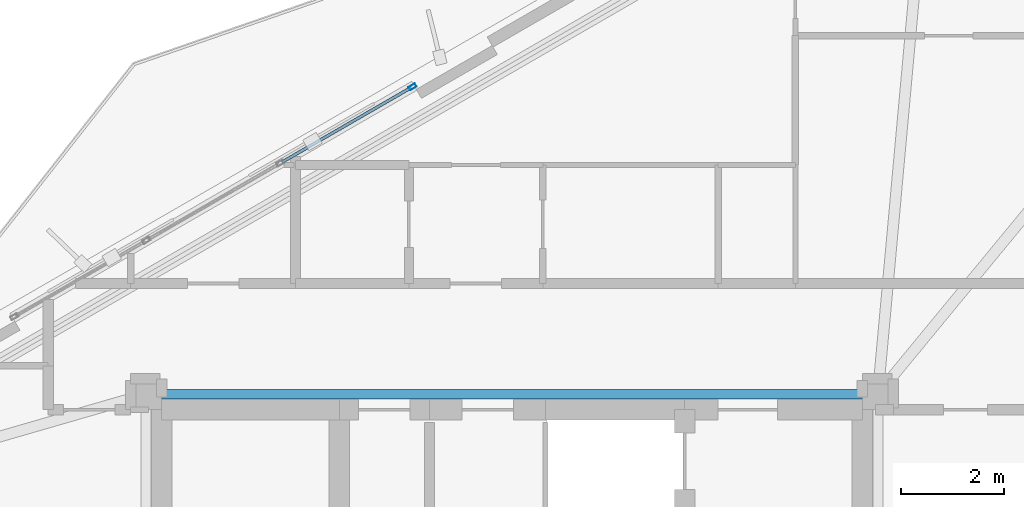
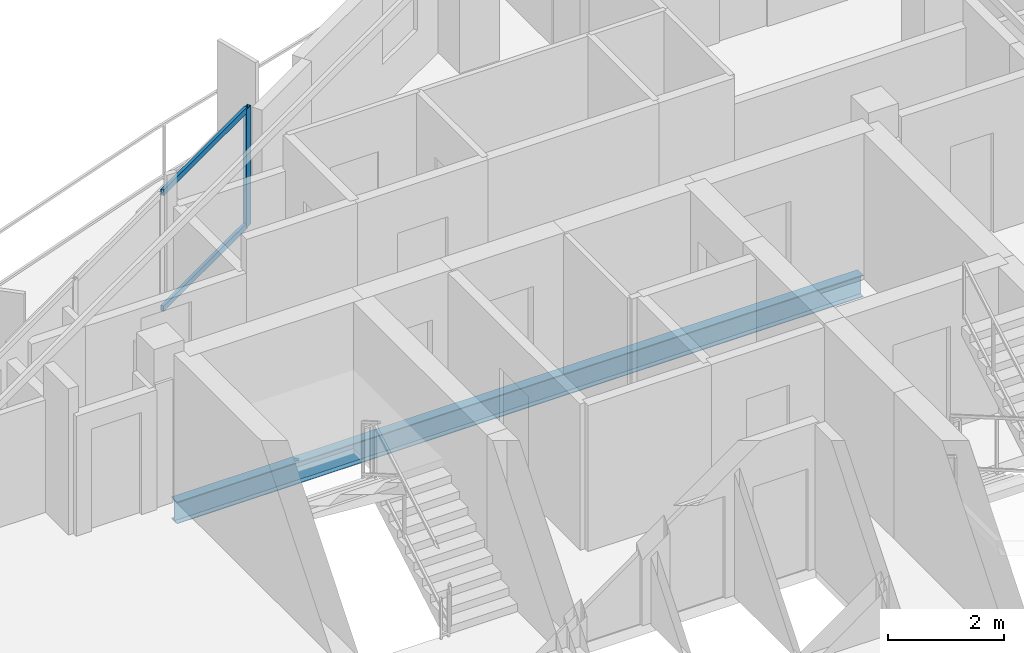
# One storey, part 14 of 22: 3 members, 1 beam, 1 element without a shape of its own.
"""IFC4 building model written with IfcOpenShell, lengths in metres."""

import ifcopenshell
import ifcopenshell.guid

model = None  # the IFC model being written
_history = None  # IfcOwnerHistory: only IFC2X3 demands one
_inside = {}  # id of a spatial element -> (the spatial element, [elements in it])
_under = {}  # id of a project, library or spatial element -> (it, [spatial elements below it])
_declared = {}  # id of a project -> (the project, [libraries it declares])
_typed = {}  # id of a type object -> (the type object, [elements of that type])
_made_of = {}  # id of a material, layer set ... -> (it, [elements and type objects made of it])


def new_model(schema):
    """Start an empty IFC model of exactly this schema.

    Asked for "IFC4X3", IfcOpenShell would pick the latest addendum, in which some entities
    have other attributes; the version numbers below select the first issue.
    IFC2X3 requires an IfcOwnerHistory on every rooted entity: one is made here for all.
    """
    global model, _history
    if schema == "IFC4X3":
        model = ifcopenshell.file(schema_version=(4, 3, 0, 0))
    else:
        model = ifcopenshell.file(schema=schema)
    _inside.clear()
    _under.clear()
    _declared.clear()
    _typed.clear()
    _made_of.clear()
    _history = None
    if model.schema == "IFC2X3":
        org = make("IfcOrganization", Name="unknown")
        user = make(
            "IfcPersonAndOrganization",
            ThePerson=make("IfcPerson", FamilyName="unknown"),
            TheOrganization=org,
        )
        app = make(
            "IfcApplication",
            ApplicationDeveloper=org,
            Version="unknown",
            ApplicationFullName="unknown",
            ApplicationIdentifier="unknown",
        )
        _history = make(
            "IfcOwnerHistory",
            OwningUser=user,
            OwningApplication=app,
            ChangeAction="ADDED",
            CreationDate=0,
        )
    return model


def make(cls, **values):
    """One entity of the class cls with the attributes given. An attribute that is None is left unset."""
    return model.create_entity(
        cls, **{name: value for name, value in values.items() if value is not None}
    )


def rooted(cls, **values):
    """An entity with a GlobalId (a new one), such as an element, a storey or a relation."""
    return make(cls, GlobalId=ifcopenshell.guid.new(), OwnerHistory=_history, **values)


def si_unit(unit_type, name, prefix=None):
    """IfcSIUnit, for example si_unit("LENGTHUNIT", "METRE", prefix="MILLI")."""
    return make("IfcSIUnit", UnitType=unit_type, Prefix=prefix, Name=name)


def assignment(units):
    """IfcUnitAssignment: the units of a project."""
    return None if units is None else make("IfcUnitAssignment", Units=units)


def point(xyz):
    """IfcCartesianPoint."""
    return None if xyz is None else make("IfcCartesianPoint", Coordinates=xyz)


def direction(xyz):
    """IfcDirection."""
    return None if xyz is None else make("IfcDirection", DirectionRatios=xyz)


def frame(location, z_axis=None, x_axis=None):
    """IfcAxis2Placement3D, a coordinate frame: its origin and axes. An axis left out is left unset."""
    return make(
        "IfcAxis2Placement3D",
        Location=point(location),
        Axis=direction(z_axis),
        RefDirection=direction(x_axis),
    )


def frame_2d(location, x_axis=None):
    """IfcAxis2Placement2D, a coordinate frame in the plane: its origin and x axis."""
    return make(
        "IfcAxis2Placement2D", Location=point(location), RefDirection=direction(x_axis)
    )


def origin():
    """The frame at (0, 0, 0) with its axes left unset."""
    return frame((0.0, 0.0, 0.0))


def origin_2d():
    """The frame at (0, 0) in the plane with its x axis left unset."""
    return frame_2d((0.0, 0.0))


def place(relative_to, where):
    """IfcLocalPlacement: puts the frame where relative to a parent placement (None: the world)."""
    return make(
        "IfcLocalPlacement", PlacementRelTo=relative_to, RelativePlacement=where
    )


def context(
    kind, dimensions, precision=None, world=None, true_north=None, identifier=None
):
    """IfcGeometricRepresentationContext, for example the 3D "Model" context."""
    return make(
        "IfcGeometricRepresentationContext",
        ContextIdentifier=identifier,
        ContextType=kind,
        CoordinateSpaceDimension=dimensions,
        Precision=precision,
        WorldCoordinateSystem=world,
        TrueNorth=true_north,
    )


def subcontext(parent, identifier, kind, view, scale=None):
    """IfcGeometricRepresentationSubContext, for example "Body" below "Model"."""
    return make(
        "IfcGeometricRepresentationSubContext",
        ContextIdentifier=identifier,
        ContextType=kind,
        ParentContext=parent,
        TargetScale=scale,
        TargetView=view,
    )


def project(units=None, contexts=None):
    """IfcProject with its units and contexts."""
    return rooted(
        "IfcProject",
        Name="project",
        RepresentationContexts=contexts,
        UnitsInContext=assignment(units),
    )


def spatial(cls, under=None, at=None, **own):
    """A site, building, storey or space (cls), placed at a placement, below another one or the project."""
    s = rooted(cls, ObjectPlacement=at, **own)
    if under is not None:
        _under.setdefault(under.id(), (under, []))[1].append(s)
    return s


def profile(cls, at=None, kind="AREA", **sizes):
    """A parametric profile (cls). Its sizes go by their IFC names, for example OverallWidth=200.0."""
    return make(cls, ProfileType=kind, Position=at, **sizes)


def hollow_rectangle(**sizes):
    """IfcRectangleHollowProfileDef."""
    return profile("IfcRectangleHollowProfileDef", **sizes)


def i_section(**sizes):
    """IfcIShapeProfileDef."""
    return profile("IfcIShapeProfileDef", **sizes)


def extrude(swept, where, along, depth):
    """IfcExtrudedAreaSolid: the profile swept, set in the frame where, extruded along a direction by depth."""
    return make(
        "IfcExtrudedAreaSolid",
        SweptArea=swept,
        Position=where,
        ExtrudedDirection=direction(along),
        Depth=depth,
    )


def shape(context_of_items, identifier, shape_type, items):
    """IfcShapeRepresentation: the items that make up one representation, for example the "Body"."""
    return make(
        "IfcShapeRepresentation",
        ContextOfItems=context_of_items,
        RepresentationIdentifier=identifier,
        RepresentationType=shape_type,
        Items=items,
    )


def material(Name=None, Category=None):
    """IfcMaterial."""
    return make("IfcMaterial", Name=Name, Category=Category)


def layer(
    of_material, thickness, ventilated=None, Name=None, Category=None, Priority=None
):
    """IfcMaterialLayer: one layer of a wall or slab, of a material (None: an air gap)."""
    return make(
        "IfcMaterialLayer",
        Material=of_material,
        LayerThickness=thickness,
        IsVentilated=ventilated,
        Name=Name,
        Category=Category,
        Priority=Priority,
    )


def layer_set(layers, Name=None):
    """IfcMaterialLayerSet."""
    return make("IfcMaterialLayerSet", MaterialLayers=layers, LayerSetName=Name)


def material_profile(
    of_material, cross_section, Name=None, Category=None, Priority=None
):
    """IfcMaterialProfile: a cross section and its material."""
    return make(
        "IfcMaterialProfile",
        Name=Name,
        Material=of_material,
        Profile=cross_section,
        Priority=Priority,
        Category=Category,
    )


def profile_set(profiles, Name=None, composite=None):
    """IfcMaterialProfileSet."""
    return make(
        "IfcMaterialProfileSet",
        Name=Name,
        MaterialProfiles=profiles,
        CompositeProfile=composite,
    )


def made_of(thing, what):
    """Note that an element or type object is made of a material, layer set ...; save() writes the relation."""
    if what is not None:
        _made_of.setdefault(what.id(), (what, []))[1].append(thing)
    return thing


def type_object(cls, material=None, **own):
    """A type object (cls), such as IfcWallType, which elements share."""
    return made_of(rooted(cls, **own), material)


def element(
    cls,
    number,
    at=None,
    inside=None,
    cuts=None,
    type_object=None,
    material=None,
    context=None,
    identifier="Body",
    shape_type=None,
    held_by="IfcProductDefinitionShape",
    body=None,
    shapes=None,
    **own,
):
    """One element of the class cls, such as IfcWall. Its Tag is "e" and its number.

    at: its placement. inside: the storey or other place that contains it. cuts: it is an
    opening in that element (IfcRelVoidsElement). A single representation is given by context,
    identifier, shape_type and body (its items); several are given by shapes. held_by: the class
    of the entity that holds the representations. save() writes the other relations.
    """
    e = rooted(cls, Tag="e%d" % number, ObjectPlacement=at, **own)
    if body is not None:
        shapes = [shape(context, identifier, shape_type, body)]
    if shapes is not None:
        e.Representation = make(held_by, Representations=shapes)
    if inside is not None:
        _inside.setdefault(inside.id(), (inside, []))[1].append(e)
    if cuts is not None:
        rooted(
            "IfcRelVoidsElement", RelatingBuildingElement=cuts, RelatedOpeningElement=e
        )
    if type_object is not None:
        _typed.setdefault(type_object.id(), (type_object, []))[1].append(e)
    return made_of(e, material)


def aggregate(whole, parts):
    """IfcRelAggregates: a whole, such as a stair, and the parts it consists of."""
    return rooted("IfcRelAggregates", RelatingObject=whole, RelatedObjects=parts)


def save(model, path):
    """Write the relations noted so far, then the file.

    IfcRelAggregates (storeys below a building ...), IfcRelContainedInSpatialStructure (elements
    in a storey), IfcRelDefinesByType, IfcRelAssociatesMaterial and IfcRelDeclares: one each for
    every whole, place, type object, material and project.
    """
    for whole, parts in _under.values():
        aggregate(whole, parts)
    for where, things in _inside.values():
        rooted(
            "IfcRelContainedInSpatialStructure",
            RelatedElements=things,
            RelatingStructure=where,
        )
    for kind, things in _typed.values():
        rooted("IfcRelDefinesByType", RelatedObjects=things, RelatingType=kind)
    for what, things in _made_of.values():
        rooted("IfcRelAssociatesMaterial", RelatedObjects=things, RelatingMaterial=what)
    for by, libraries in _declared.values():
        rooted("IfcRelDeclares", RelatingContext=by, RelatedDefinitions=libraries)
    model.write(path)


model = new_model("IFC4")

# Units and contexts
model_context = context("Model", 3, precision=1e-05, world=origin(), true_north=direction((0.0, 1.0)))
body_context = subcontext(model_context, "Body", "Model", "MODEL_VIEW")
ifc_project = project(units=[si_unit("LENGTHUNIT", "METRE"), si_unit("AREAUNIT", "SQUARE_METRE"), si_unit("VOLUMEUNIT", "CUBIC_METRE"), si_unit("PLANEANGLEUNIT", "RADIAN"), si_unit("MASSUNIT", "GRAM", prefix="KILO")], contexts=[model_context])

# Site, building, storey
site_placement = place(None, origin())
site = spatial("IfcSite", under=ifc_project, at=site_placement, CompositionType="ELEMENT")
building_placement = place(site_placement, origin())
building = spatial("IfcBuilding", under=site, at=building_placement, Name="Mersakhor Tower and Convention Hall", CompositionType="ELEMENT")
storey_placement = place(building_placement, frame((0.0, 0.0, 208.5)))
storey = spatial("IfcBuildingStorey", under=building, at=storey_placement, Name="L58", CompositionType="ELEMENT", Elevation=208.5)

# Beam
ifc_material_1 = material(Name="Steel S355", Category="steel")
ifc_material_profile_1 = material_profile(ifc_material_1, i_section(OverallWidth=0.19140625, OverallDepth=0.4599609375, WebThickness=0.010009765625, FlangeThickness=0.01611328125, at=origin_2d()), Name="UB 457x191x82")
ifc_profile_set_1 = profile_set([ifc_material_profile_1], Name="Steel S355")
beam_type = type_object("IfcBeamType", Name="BM-FB-457", PredefinedType="BEAM", material=ifc_profile_set_1)
beam_placement = place(storey_placement, frame((22.179931640625, 33.050048828125, -0.4599609375), z_axis=(1.0, 0.0, 0.0), x_axis=(0.0, 1.0, 0.0)))
element("IfcBeam", 1, at=beam_placement, inside=storey, type_object=beam_type, Name="L58 Core Ring Tie Beam CRB-2", PredefinedType="BEAM", context=body_context, shape_type="SweptSolid", body=[
    extrude(i_section(OverallWidth=0.19140625, OverallDepth=0.4599609375, WebThickness=0.010009765625, FlangeThickness=0.01611328125, at=origin_2d()), origin(), (0.0, 0.0, 1.0), 13.64013671875),
])

# Curtain wall, members
ifc_material_2 = material(Name="Dark solar low-E aluminium curtain wall", Category="aluminium")
ifc_layer = layer(ifc_material_2, 0.169921875)
ifc_layer_set = layer_set([ifc_layer], Name="Dark solar low-E aluminium curtain wall")
curtain_wall_type = type_object("IfcCurtainWallType", Name="CW-SYS-02", PredefinedType="USERDEFINED", material=ifc_layer_set)
curtain_wall_placement = place(storey_placement, origin())
curtain_wall = element("IfcCurtainWall", 2, at=curtain_wall_placement, inside=storey, type_object=curtain_wall_type, Name="L58 Dark-Glass Curtain Wall F1-B2", ObjectType="CURTAIN WALL", PredefinedType="USERDEFINED")
ifc_material_3 = material(Name="Anodised aluminium EN AW-6063 T6", Category="aluminium")
ifc_material_profile_2 = material_profile(ifc_material_3, hollow_rectangle(XDim=0.074951171875, YDim=0.14990234375, WallThickness=0.00634765625, at=origin_2d()), Name="RHS 150x75x6.3")
ifc_profile_set_2 = profile_set([ifc_material_profile_2], Name="Anodised aluminium EN AW-6063 T6")
member_type_1 = type_object("IfcMemberType", Name="CWM-150x75", PredefinedType="MULLION", material=ifc_profile_set_2)
member_1_placement = place(storey_placement, frame((27.06982421875, 39.016845703125, 0.199951171875), z_axis=(0.0, 0.0, 1.0), x_axis=(-0.500007824483, 0.86602088627, 0.0)))
member_1 = element("IfcMember", 3, at=member_1_placement, type_object=member_type_1, Name="CW-02 mullion 4", PredefinedType="MULLION", context=body_context, shape_type="SweptSolid", body=[
    extrude(hollow_rectangle(XDim=0.074951171875, YDim=0.14990234375, WallThickness=0.00634765625, at=origin_2d()), origin(), (0.0, 0.0, 1.0), 2.489990234375),
])
ifc_material_4 = material(Name="Anodised aluminium EN AW-6063 T6", Category="aluminium")
ifc_material_profile_3 = material_profile(ifc_material_4, hollow_rectangle(XDim=0.06005859375, YDim=0.1201171875, WallThickness=0.0048828125, at=origin_2d()), Name="RHS 120x60x5")
ifc_profile_set_3 = profile_set([ifc_material_profile_3], Name="Anodised aluminium EN AW-6063 T6")
member_type_2 = type_object("IfcMemberType", Name="CWT-120x60", PredefinedType="USERDEFINED", material=ifc_profile_set_3)
member_2_placement = place(storey_placement, frame((24.537109375, 37.554443359375, 0.22998046875), z_axis=(0.86601237176, 0.50002257145, 0.0), x_axis=(-0.50002257145, 0.86601237176, 0.0)))
member_2 = element("IfcMember", 4, at=member_2_placement, type_object=member_type_2, Name="CW-02 transom 3.1", ObjectType="TRANSOM", PredefinedType="USERDEFINED", context=body_context, shape_type="SweptSolid", body=[
    extrude(hollow_rectangle(XDim=0.06005859375, YDim=0.1201171875, WallThickness=0.0048828125, at=origin_2d()), origin(), (0.0, 0.0, 1.0), 2.886962890625),
])
member_3_placement = place(storey_placement, frame((24.537109375, 37.554443359375, 2.659912109375), z_axis=(0.86601237176, 0.50002257145, 0.0), x_axis=(-0.50002257145, 0.86601237176, 0.0)))
member_3 = element("IfcMember", 5, at=member_3_placement, type_object=member_type_2, Name="CW-02 transom 3.2", ObjectType="TRANSOM", PredefinedType="USERDEFINED", context=body_context, shape_type="SweptSolid", body=[
    extrude(hollow_rectangle(XDim=0.06005859375, YDim=0.1201171875, WallThickness=0.0048828125, at=origin_2d()), origin(), (0.0, 0.0, 1.0), 2.886962890625),
])
aggregate(curtain_wall, [member_1, member_2, member_3])

save(model, "model.ifc")
